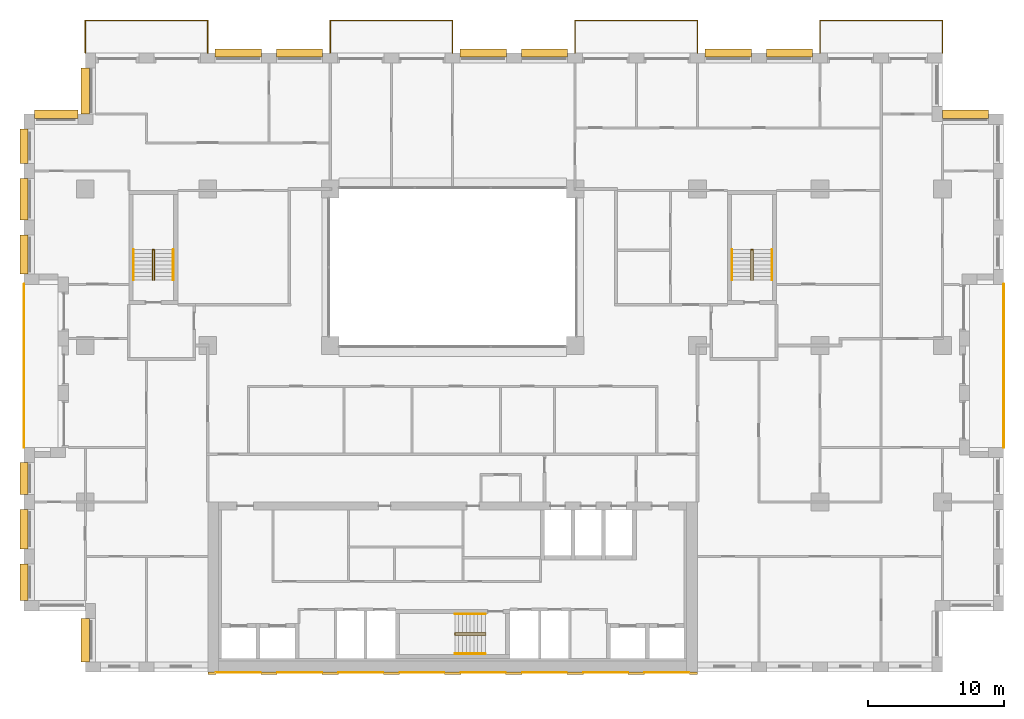
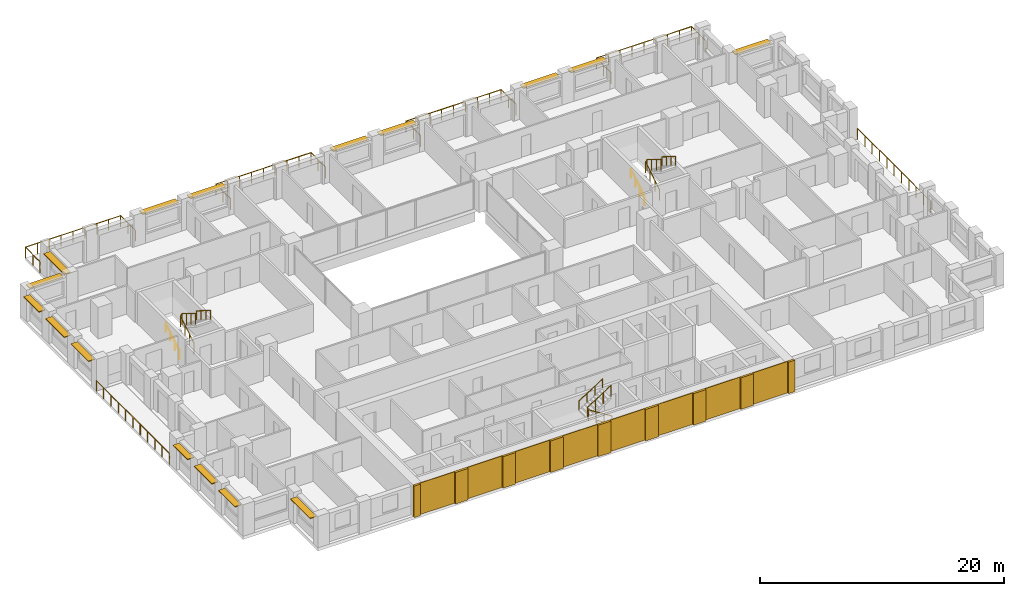
# One storey, part 16 of 16: 17 coverings, 16 shading devices, 15 railings.
"""IFC4 building model written with IfcOpenShell, lengths in metres."""

from ifc_helpers import new_model, si_unit, direction, frame, origin, origin_2d, place, context, subcontext, project, spatial, rectangle, circle, extrude, material, layer, layer_set, type_object, element, save


model = new_model("IFC4")

# Units and contexts
model_context = context("Model", 3, precision=1e-05, world=origin(), true_north=direction((0.0, 1.0)))
body_context = subcontext(model_context, "Body", "Model", "MODEL_VIEW")
ifc_project = project(units=[si_unit("LENGTHUNIT", "METRE"), si_unit("AREAUNIT", "SQUARE_METRE"), si_unit("VOLUMEUNIT", "CUBIC_METRE"), si_unit("PLANEANGLEUNIT", "RADIAN"), si_unit("MASSUNIT", "GRAM", prefix="KILO")], contexts=[model_context])

# Site, building, storey
site_placement = place(None, origin())
site = spatial("IfcSite", under=ifc_project, at=site_placement, CompositionType="ELEMENT")
building_placement = place(site_placement, origin())
building = spatial("IfcBuilding", under=site, at=building_placement, Name="Brigalow Station Residences", CompositionType="ELEMENT")
storey_placement = place(building_placement, frame((0.0, 0.0, 118.199951171875)))
storey = spatial("IfcBuildingStorey", under=building, at=storey_placement, Name="L34", CompositionType="ELEMENT", Elevation=118.199951171875)

# Railings
ifc_material_1 = material(Name="Stainless steel balustrade with laminated glass infill", Category="steel")
railing_type_1 = type_object("IfcRailingType", Name="BALCONY GUARD 1100", PredefinedType="GUARDRAIL", material=ifc_material_1)
railing_1_placement = place(storey_placement, frame((76.5, 16.5, -0.0400390625)))
element("IfcRailing", 1, at=railing_1_placement, inside=storey, type_object=railing_type_1, Name="L34/balcony-guard/1", PredefinedType="GUARDRAIL", context=body_context, shape_type="SweptSolid", body=[
    extrude(circle(Radius=0.02392578125, at=origin_2d()), frame((0.0, 0.0, 1.076171875), z_axis=(0.0, 1.0, 0.0), x_axis=(-1.0, 0.0, 0.0)), (0.0, 0.0, 1.0), 12.0),
    extrude(circle(Radius=0.02099609375, at=origin_2d()), origin(), (0.0, 0.0, 1.0), 1.052001953125),
    extrude(circle(Radius=0.02099609375, at=origin_2d()), frame((0.0, 1.199951171875, 0.0)), (0.0, 0.0, 1.0), 1.052001953125),
    extrude(circle(Radius=0.02099609375, at=origin_2d()), frame((0.0, 2.39990234375, 0.0)), (0.0, 0.0, 1.0), 1.052001953125),
    extrude(circle(Radius=0.02099609375, at=origin_2d()), frame((0.0, 3.60009765625, 0.0)), (0.0, 0.0, 1.0), 1.052001953125),
    extrude(circle(Radius=0.02099609375, at=origin_2d()), frame((0.0, 4.800048828125, 0.0)), (0.0, 0.0, 1.0), 1.052001953125),
    extrude(circle(Radius=0.02099609375, at=origin_2d()), frame((0.0, 6.0, 0.0)), (0.0, 0.0, 1.0), 1.052001953125),
    extrude(circle(Radius=0.02099609375, at=origin_2d()), frame((0.0, 7.199951171875, 0.0)), (0.0, 0.0, 1.0), 1.052001953125),
    extrude(circle(Radius=0.02099609375, at=origin_2d()), frame((0.0, 8.39990234375, 0.0)), (0.0, 0.0, 1.0), 1.052001953125),
    extrude(circle(Radius=0.02099609375, at=origin_2d()), frame((0.0, 9.60009765625, 0.0)), (0.0, 0.0, 1.0), 1.052001953125),
    extrude(circle(Radius=0.02099609375, at=origin_2d()), frame((0.0, 10.800048828125, 0.0)), (0.0, 0.0, 1.0), 1.052001953125),
    extrude(circle(Radius=0.02099609375, at=origin_2d()), frame((0.0, 12.0, 0.0)), (0.0, 0.0, 1.0), 1.052001953125),
])
railing_2_placement = place(storey_placement, frame((72.0, 45.5, -0.0400390625)))
element("IfcRailing", 2, at=railing_2_placement, inside=storey, type_object=railing_type_1, Name="L34/balcony-guard/2", PredefinedType="GUARDRAIL", context=body_context, shape_type="SweptSolid", body=[
    extrude(circle(Radius=0.02392578125, at=origin_2d()), frame((0.0, 0.0, 1.076171875), z_axis=(0.0, 1.0, 0.0), x_axis=(-1.0, 0.0, 0.0)), (0.0, 0.0, 1.0), 2.39990234375),
    extrude(circle(Radius=0.02392578125, at=origin_2d()), frame((0.0, 2.39990234375, 1.076171875), z_axis=(-1.0, 0.0, 0.0), x_axis=(0.0, -1.0, 0.0)), (0.0, 0.0, 1.0), 9.0),
    extrude(circle(Radius=0.02392578125, at=origin_2d()), frame((-9.0, 2.39990234375, 1.076171875), z_axis=(0.0, -1.0, 0.0), x_axis=(1.0, 0.0, 0.0)), (0.0, 0.0, 1.0), 2.39990234375),
    extrude(circle(Radius=0.02099609375, at=origin_2d()), origin(), (0.0, 0.0, 1.0), 1.052001953125),
    extrude(circle(Radius=0.02099609375, at=origin_2d()), frame((0.0, 1.199951171875, 0.0)), (0.0, 0.0, 1.0), 1.052001953125),
    extrude(circle(Radius=0.02099609375, at=origin_2d()), frame((0.0, 2.39990234375, 0.0)), (0.0, 0.0, 1.0), 1.052001953125),
    extrude(circle(Radius=0.02099609375, at=origin_2d()), frame((-1.125, 2.39990234375, 0.0)), (0.0, 0.0, 1.0), 1.052001953125),
    extrude(circle(Radius=0.02099609375, at=origin_2d()), frame((-2.25, 2.39990234375, 0.0)), (0.0, 0.0, 1.0), 1.052001953125),
    extrude(circle(Radius=0.02099609375, at=origin_2d()), frame((-3.375, 2.39990234375, 0.0)), (0.0, 0.0, 1.0), 1.052001953125),
    extrude(circle(Radius=0.02099609375, at=origin_2d()), frame((-4.5, 2.39990234375, 0.0)), (0.0, 0.0, 1.0), 1.052001953125),
    extrude(circle(Radius=0.02099609375, at=origin_2d()), frame((-5.625, 2.39990234375, 0.0)), (0.0, 0.0, 1.0), 1.052001953125),
    extrude(circle(Radius=0.02099609375, at=origin_2d()), frame((-6.75, 2.39990234375, 0.0)), (0.0, 0.0, 1.0), 1.052001953125),
    extrude(circle(Radius=0.02099609375, at=origin_2d()), frame((-7.875, 2.39990234375, 0.0)), (0.0, 0.0, 1.0), 1.052001953125),
    extrude(circle(Radius=0.02099609375, at=origin_2d()), frame((-9.0, 2.39990234375, 0.0)), (0.0, 0.0, 1.0), 1.052001953125),
    extrude(circle(Radius=0.02099609375, at=origin_2d()), frame((-9.0, 1.199951171875, 0.0)), (0.0, 0.0, 1.0), 1.052001953125),
    extrude(circle(Radius=0.02099609375, at=origin_2d()), frame((-9.0, 0.0, 0.0)), (0.0, 0.0, 1.0), 1.052001953125),
])
railing_3_placement = place(storey_placement, frame((54.0, 45.5, -0.0400390625)))
element("IfcRailing", 3, at=railing_3_placement, inside=storey, type_object=railing_type_1, Name="L34/balcony-guard/3", PredefinedType="GUARDRAIL", context=body_context, shape_type="SweptSolid", body=[
    extrude(circle(Radius=0.02392578125, at=origin_2d()), frame((0.0, 0.0, 1.076171875), z_axis=(0.0, 1.0, 0.0), x_axis=(-1.0, 0.0, 0.0)), (0.0, 0.0, 1.0), 2.39990234375),
    extrude(circle(Radius=0.02392578125, at=origin_2d()), frame((0.0, 2.39990234375, 1.076171875), z_axis=(-1.0, 0.0, 0.0), x_axis=(0.0, -1.0, 0.0)), (0.0, 0.0, 1.0), 9.0),
    extrude(circle(Radius=0.02392578125, at=origin_2d()), frame((-9.0, 2.39990234375, 1.076171875), z_axis=(0.0, -1.0, 0.0), x_axis=(1.0, 0.0, 0.0)), (0.0, 0.0, 1.0), 2.39990234375),
    extrude(circle(Radius=0.02099609375, at=origin_2d()), origin(), (0.0, 0.0, 1.0), 1.052001953125),
    extrude(circle(Radius=0.02099609375, at=origin_2d()), frame((0.0, 1.199951171875, 0.0)), (0.0, 0.0, 1.0), 1.052001953125),
    extrude(circle(Radius=0.02099609375, at=origin_2d()), frame((0.0, 2.39990234375, 0.0)), (0.0, 0.0, 1.0), 1.052001953125),
    extrude(circle(Radius=0.02099609375, at=origin_2d()), frame((-1.125, 2.39990234375, 0.0)), (0.0, 0.0, 1.0), 1.052001953125),
    extrude(circle(Radius=0.02099609375, at=origin_2d()), frame((-2.25, 2.39990234375, 0.0)), (0.0, 0.0, 1.0), 1.052001953125),
    extrude(circle(Radius=0.02099609375, at=origin_2d()), frame((-3.375, 2.39990234375, 0.0)), (0.0, 0.0, 1.0), 1.052001953125),
    extrude(circle(Radius=0.02099609375, at=origin_2d()), frame((-4.5, 2.39990234375, 0.0)), (0.0, 0.0, 1.0), 1.052001953125),
    extrude(circle(Radius=0.02099609375, at=origin_2d()), frame((-5.625, 2.39990234375, 0.0)), (0.0, 0.0, 1.0), 1.052001953125),
    extrude(circle(Radius=0.02099609375, at=origin_2d()), frame((-6.75, 2.39990234375, 0.0)), (0.0, 0.0, 1.0), 1.052001953125),
    extrude(circle(Radius=0.02099609375, at=origin_2d()), frame((-7.875, 2.39990234375, 0.0)), (0.0, 0.0, 1.0), 1.052001953125),
    extrude(circle(Radius=0.02099609375, at=origin_2d()), frame((-9.0, 2.39990234375, 0.0)), (0.0, 0.0, 1.0), 1.052001953125),
    extrude(circle(Radius=0.02099609375, at=origin_2d()), frame((-9.0, 1.199951171875, 0.0)), (0.0, 0.0, 1.0), 1.052001953125),
    extrude(circle(Radius=0.02099609375, at=origin_2d()), frame((-9.0, 0.0, 0.0)), (0.0, 0.0, 1.0), 1.052001953125),
])
railing_4_placement = place(storey_placement, frame((36.0, 45.5, -0.0400390625)))
element("IfcRailing", 4, at=railing_4_placement, inside=storey, type_object=railing_type_1, Name="L34/balcony-guard/4", PredefinedType="GUARDRAIL", context=body_context, shape_type="SweptSolid", body=[
    extrude(circle(Radius=0.02392578125, at=origin_2d()), frame((0.0, 0.0, 1.076171875), z_axis=(0.0, 1.0, 0.0), x_axis=(-1.0, 0.0, 0.0)), (0.0, 0.0, 1.0), 2.39990234375),
    extrude(circle(Radius=0.02392578125, at=origin_2d()), frame((0.0, 2.39990234375, 1.076171875), z_axis=(-1.0, 0.0, 0.0), x_axis=(0.0, -1.0, 0.0)), (0.0, 0.0, 1.0), 9.0),
    extrude(circle(Radius=0.02392578125, at=origin_2d()), frame((-9.0, 2.39990234375, 1.076171875), z_axis=(0.0, -1.0, 0.0), x_axis=(1.0, 0.0, 0.0)), (0.0, 0.0, 1.0), 2.39990234375),
    extrude(circle(Radius=0.02099609375, at=origin_2d()), origin(), (0.0, 0.0, 1.0), 1.052001953125),
    extrude(circle(Radius=0.02099609375, at=origin_2d()), frame((0.0, 1.199951171875, 0.0)), (0.0, 0.0, 1.0), 1.052001953125),
    extrude(circle(Radius=0.02099609375, at=origin_2d()), frame((0.0, 2.39990234375, 0.0)), (0.0, 0.0, 1.0), 1.052001953125),
    extrude(circle(Radius=0.02099609375, at=origin_2d()), frame((-1.125, 2.39990234375, 0.0)), (0.0, 0.0, 1.0), 1.052001953125),
    extrude(circle(Radius=0.02099609375, at=origin_2d()), frame((-2.25, 2.39990234375, 0.0)), (0.0, 0.0, 1.0), 1.052001953125),
    extrude(circle(Radius=0.02099609375, at=origin_2d()), frame((-3.375, 2.39990234375, 0.0)), (0.0, 0.0, 1.0), 1.052001953125),
    extrude(circle(Radius=0.02099609375, at=origin_2d()), frame((-4.5, 2.39990234375, 0.0)), (0.0, 0.0, 1.0), 1.052001953125),
    extrude(circle(Radius=0.02099609375, at=origin_2d()), frame((-5.625, 2.39990234375, 0.0)), (0.0, 0.0, 1.0), 1.052001953125),
    extrude(circle(Radius=0.02099609375, at=origin_2d()), frame((-6.75, 2.39990234375, 0.0)), (0.0, 0.0, 1.0), 1.052001953125),
    extrude(circle(Radius=0.02099609375, at=origin_2d()), frame((-7.875, 2.39990234375, 0.0)), (0.0, 0.0, 1.0), 1.052001953125),
    extrude(circle(Radius=0.02099609375, at=origin_2d()), frame((-9.0, 2.39990234375, 0.0)), (0.0, 0.0, 1.0), 1.052001953125),
    extrude(circle(Radius=0.02099609375, at=origin_2d()), frame((-9.0, 1.199951171875, 0.0)), (0.0, 0.0, 1.0), 1.052001953125),
    extrude(circle(Radius=0.02099609375, at=origin_2d()), frame((-9.0, 0.0, 0.0)), (0.0, 0.0, 1.0), 1.052001953125),
])
railing_5_placement = place(storey_placement, frame((18.0, 45.5, -0.0400390625)))
element("IfcRailing", 5, at=railing_5_placement, inside=storey, type_object=railing_type_1, Name="L34/balcony-guard/5", PredefinedType="GUARDRAIL", context=body_context, shape_type="SweptSolid", body=[
    extrude(circle(Radius=0.02392578125, at=origin_2d()), frame((0.0, 0.0, 1.076171875), z_axis=(0.0, 1.0, 0.0), x_axis=(-1.0, 0.0, 0.0)), (0.0, 0.0, 1.0), 2.39990234375),
    extrude(circle(Radius=0.02392578125, at=origin_2d()), frame((0.0, 2.39990234375, 1.076171875), z_axis=(-1.0, 0.0, 0.0), x_axis=(0.0, -1.0, 0.0)), (0.0, 0.0, 1.0), 9.0),
    extrude(circle(Radius=0.02392578125, at=origin_2d()), frame((-9.0, 2.39990234375, 1.076171875), z_axis=(0.0, -1.0, 0.0), x_axis=(1.0, 0.0, 0.0)), (0.0, 0.0, 1.0), 2.39990234375),
    extrude(circle(Radius=0.02099609375, at=origin_2d()), origin(), (0.0, 0.0, 1.0), 1.052001953125),
    extrude(circle(Radius=0.02099609375, at=origin_2d()), frame((0.0, 1.199951171875, 0.0)), (0.0, 0.0, 1.0), 1.052001953125),
    extrude(circle(Radius=0.02099609375, at=origin_2d()), frame((0.0, 2.39990234375, 0.0)), (0.0, 0.0, 1.0), 1.052001953125),
    extrude(circle(Radius=0.02099609375, at=origin_2d()), frame((-1.125, 2.39990234375, 0.0)), (0.0, 0.0, 1.0), 1.052001953125),
    extrude(circle(Radius=0.02099609375, at=origin_2d()), frame((-2.25, 2.39990234375, 0.0)), (0.0, 0.0, 1.0), 1.052001953125),
    extrude(circle(Radius=0.02099609375, at=origin_2d()), frame((-3.375, 2.39990234375, 0.0)), (0.0, 0.0, 1.0), 1.052001953125),
    extrude(circle(Radius=0.02099609375, at=origin_2d()), frame((-4.5, 2.39990234375, 0.0)), (0.0, 0.0, 1.0), 1.052001953125),
    extrude(circle(Radius=0.02099609375, at=origin_2d()), frame((-5.625, 2.39990234375, 0.0)), (0.0, 0.0, 1.0), 1.052001953125),
    extrude(circle(Radius=0.02099609375, at=origin_2d()), frame((-6.75, 2.39990234375, 0.0)), (0.0, 0.0, 1.0), 1.052001953125),
    extrude(circle(Radius=0.02099609375, at=origin_2d()), frame((-7.875, 2.39990234375, 0.0)), (0.0, 0.0, 1.0), 1.052001953125),
    extrude(circle(Radius=0.02099609375, at=origin_2d()), frame((-9.0, 2.39990234375, 0.0)), (0.0, 0.0, 1.0), 1.052001953125),
    extrude(circle(Radius=0.02099609375, at=origin_2d()), frame((-9.0, 1.199951171875, 0.0)), (0.0, 0.0, 1.0), 1.052001953125),
    extrude(circle(Radius=0.02099609375, at=origin_2d()), frame((-9.0, 0.0, 0.0)), (0.0, 0.0, 1.0), 1.052001953125),
])
railing_6_placement = place(storey_placement, frame((4.5, 28.5, -0.0400390625)))
element("IfcRailing", 6, at=railing_6_placement, inside=storey, type_object=railing_type_1, Name="L34/balcony-guard/6", PredefinedType="GUARDRAIL", context=body_context, shape_type="SweptSolid", body=[
    extrude(circle(Radius=0.02392578125, at=origin_2d()), frame((0.0, 0.0, 1.076171875), z_axis=(0.0, -1.0, 0.0), x_axis=(1.0, 0.0, 0.0)), (0.0, 0.0, 1.0), 12.0),
    extrude(circle(Radius=0.02099609375, at=origin_2d()), origin(), (0.0, 0.0, 1.0), 1.052001953125),
    extrude(circle(Radius=0.02099609375, at=origin_2d()), frame((0.0, -1.199951171875, 0.0)), (0.0, 0.0, 1.0), 1.052001953125),
    extrude(circle(Radius=0.02099609375, at=origin_2d()), frame((0.0, -2.39990234375, 0.0)), (0.0, 0.0, 1.0), 1.052001953125),
    extrude(circle(Radius=0.02099609375, at=origin_2d()), frame((0.0, -3.60009765625, 0.0)), (0.0, 0.0, 1.0), 1.052001953125),
    extrude(circle(Radius=0.02099609375, at=origin_2d()), frame((0.0, -4.800048828125, 0.0)), (0.0, 0.0, 1.0), 1.052001953125),
    extrude(circle(Radius=0.02099609375, at=origin_2d()), frame((0.0, -6.0, 0.0)), (0.0, 0.0, 1.0), 1.052001953125),
    extrude(circle(Radius=0.02099609375, at=origin_2d()), frame((0.0, -7.199951171875, 0.0)), (0.0, 0.0, 1.0), 1.052001953125),
    extrude(circle(Radius=0.02099609375, at=origin_2d()), frame((0.0, -8.39990234375, 0.0)), (0.0, 0.0, 1.0), 1.052001953125),
    extrude(circle(Radius=0.02099609375, at=origin_2d()), frame((0.0, -9.60009765625, 0.0)), (0.0, 0.0, 1.0), 1.052001953125),
    extrude(circle(Radius=0.02099609375, at=origin_2d()), frame((0.0, -10.800048828125, 0.0)), (0.0, 0.0, 1.0), 1.052001953125),
    extrude(circle(Radius=0.02099609375, at=origin_2d()), frame((0.0, -12.0, 0.0)), (0.0, 0.0, 1.0), 1.052001953125),
])

# Coverings
ifc_material_2 = material(Name="Clay brick masonry", Category="masonry")
ifc_layer_1 = layer(ifc_material_2, 0.06005859375)
ifc_layer_set_1 = layer_set([ifc_layer_1], Name="BRICK PANEL FACING 60")
covering_type_1 = type_object("IfcCoveringType", Name="BRICK PANEL FACING 60", PredefinedType="CLADDING", material=ifc_layer_set_1)
for number, where, z_axis, x_axis, name in (
    (7, (20.25, -0.030029296875, 0.0), (0.0, 0.0, 1.0), (1.0, 0.0, 0.0), "L34/rear-facing/panel-1"),
    (8, (24.75, -0.030029296875, 0.0), (0.0, 0.0, 1.0), (1.0, 0.0, 0.0), "L34/rear-facing/panel-2"),
    (9, (29.25, -0.030029296875, 0.0), (0.0, 0.0, 1.0), (1.0, 0.0, 0.0), "L34/rear-facing/panel-3"),
    (10, (33.75, -0.030029296875, 0.0), (0.0, 0.0, 1.0), (1.0, 0.0, 0.0), "L34/rear-facing/panel-4"),
    (11, (38.25, -0.030029296875, 0.0), (0.0, 0.0, 1.0), (1.0, 0.0, 0.0), "L34/rear-facing/panel-5"),
    (12, (42.75, -0.030029296875, 0.0), (0.0, 0.0, 1.0), (1.0, 0.0, 0.0), "L34/rear-facing/panel-6"),
    (13, (47.25, -0.030029296875, 0.0), (0.0, 0.0, 1.0), (1.0, 0.0, 0.0), "L34/rear-facing/panel-7"),
    (14, (51.75, -0.030029296875, 0.0), (0.0, 0.0, 1.0), (1.0, 0.0, 0.0), "L34/rear-facing/panel-8"),
):
    element("IfcCovering", number, at=place(storey_placement, frame(where, z_axis=z_axis, x_axis=x_axis)), inside=storey, type_object=covering_type_1, Name=name, PredefinedType="CLADDING", context=body_context, shape_type="SweptSolid", body=[
        extrude(rectangle(XDim=3.300048828125, YDim=0.06005859375, at=origin_2d()), origin(), (0.0, 0.0, 1.0), 3.14990234375),
    ])
ifc_material_3 = material(Name="Clay brick masonry", Category="masonry")
ifc_layer_2 = layer(ifc_material_3, 0.199951171875)
ifc_layer_set_2 = layer_set([ifc_layer_2], Name="BRICK PIER FACING 200")
covering_type_2 = type_object("IfcCoveringType", Name="BRICK PIER FACING 200", PredefinedType="CLADDING", material=ifc_layer_set_2)
covering_1_placement = place(storey_placement, frame((18.300048828125, -0.10009765625, 0.0), z_axis=(0.0, 0.0, 1.0), x_axis=(1.0, 0.0, 0.0)))
element("IfcCovering", 15, at=covering_1_placement, inside=storey, type_object=covering_type_2, Name="L34/rear-facing/pier-1", PredefinedType="CLADDING", context=body_context, shape_type="SweptSolid", body=[
    extrude(rectangle(XDim=0.60009765625, YDim=0.199951171875, at=origin_2d()), origin(), (0.0, 0.0, 1.0), 3.14990234375),
])
for number, where, z_axis, x_axis, name in (
    (16, (22.5, -0.10009765625, 0.0), (0.0, 0.0, 1.0), (1.0, 0.0, 0.0), "L34/rear-facing/pier-2"),
    (17, (27.0, -0.10009765625, 0.0), (0.0, 0.0, 1.0), (1.0, 0.0, 0.0), "L34/rear-facing/pier-3"),
    (18, (31.5, -0.10009765625, 0.0), (0.0, 0.0, 1.0), (1.0, 0.0, 0.0), "L34/rear-facing/pier-4"),
    (19, (36.0, -0.10009765625, 0.0), (0.0, 0.0, 1.0), (1.0, 0.0, 0.0), "L34/rear-facing/pier-5"),
    (20, (40.5, -0.10009765625, 0.0), (0.0, 0.0, 1.0), (1.0, 0.0, 0.0), "L34/rear-facing/pier-6"),
    (21, (45.0, -0.10009765625, 0.0), (0.0, 0.0, 1.0), (1.0, 0.0, 0.0), "L34/rear-facing/pier-7"),
    (22, (49.5, -0.10009765625, 0.0), (0.0, 0.0, 1.0), (1.0, 0.0, 0.0), "L34/rear-facing/pier-8"),
):
    element("IfcCovering", number, at=place(storey_placement, frame(where, z_axis=z_axis, x_axis=x_axis)), inside=storey, type_object=covering_type_2, Name=name, PredefinedType="CLADDING", context=body_context, shape_type="SweptSolid", body=[
        extrude(rectangle(XDim=1.199951171875, YDim=0.199951171875, at=origin_2d()), origin(), (0.0, 0.0, 1.0), 3.14990234375),
    ])
covering_2_placement = place(storey_placement, frame((53.699951171875, -0.10009765625, 0.0), z_axis=(0.0, 0.0, 1.0), x_axis=(1.0, 0.0, 0.0)))
element("IfcCovering", 23, at=covering_2_placement, inside=storey, type_object=covering_type_2, Name="L34/rear-facing/pier-9", PredefinedType="CLADDING", context=body_context, shape_type="SweptSolid", body=[
    extrude(rectangle(XDim=0.60009765625, YDim=0.199951171875, at=origin_2d()), origin(), (0.0, 0.0, 1.0), 3.14990234375),
])

# Railings
ifc_material_4 = material(Name="Stainless steel balustrade", Category="steel")
railing_type_2 = type_object("IfcRailingType", Name="STAIR GUARD 1100", PredefinedType="GUARDRAIL", material=ifc_material_4)
railing_7_placement = place(storey_placement, frame((38.39990234375, 2.72998046875, 0.175048828125)))
element("IfcRailing", 24, at=railing_7_placement, inside=storey, type_object=railing_type_2, Name="GUARD GR-2", PredefinedType="GUARDRAIL", context=body_context, shape_type="SweptSolid", body=[
    extrude(circle(Radius=0.02392578125, at=origin_2d()), frame((0.0, 0.0, 1.076171875), z_axis=(-0.848013881152, 0.0, 0.529974015752), x_axis=(0.0, -1.0, 0.0)), (0.0, 0.0, 1.0), 2.641357421875),
    extrude(circle(Radius=0.02392578125, at=origin_2d()), frame((-2.239990234375, 0.0, 2.47607421875), z_axis=(0.0, 0.624960567888, 0.780656319122), x_axis=(-1.0, 0.0, 0.0)), (0.0, 0.0, 1.0), 0.22412109375),
    extrude(circle(Radius=0.02392578125, at=origin_2d()), frame((-2.239990234375, 0.14013671875, 2.65087890625), z_axis=(0.847972341737, 0.0, 0.530040477369), x_axis=(0.0, 1.0, 0.0)), (0.0, 0.0, 1.0), 2.6416015625),
    extrude(circle(Radius=0.02099609375, at=origin_2d()), origin(), (0.0, 0.0, 1.0), 1.052001953125),
    extrude(circle(Radius=0.02099609375, at=origin_2d()), frame((-0.74658203125, 0.0, 0.466552734375)), (0.0, 0.0, 1.0), 1.052001953125),
    extrude(circle(Radius=0.02099609375, at=origin_2d()), frame((-1.493408203125, 0.0, 0.933349609375)), (0.0, 0.0, 1.0), 1.052001953125),
    extrude(circle(Radius=0.02099609375, at=origin_2d()), frame((-2.239990234375, 0.0, 1.39990234375)), (0.0, 0.0, 1.0), 1.052001953125),
    extrude(circle(Radius=0.02099609375, at=origin_2d()), frame((-2.239990234375, 0.14013671875, 1.574951171875)), (0.0, 0.0, 1.0), 1.052001953125),
    extrude(circle(Radius=0.02099609375, at=origin_2d()), frame((-1.493408203125, 0.14013671875, 2.041748046875)), (0.0, 0.0, 1.0), 1.052001953125),
    extrude(circle(Radius=0.02099609375, at=origin_2d()), frame((-0.74658203125, 0.14013671875, 2.50830078125)), (0.0, 0.0, 1.0), 1.052001953125),
    extrude(circle(Radius=0.02099609375, at=origin_2d()), frame((0.0, 0.14013671875, 2.97509765625)), (0.0, 0.0, 1.0), 1.052001953125),
])
for number, where, name in (
    (25, (13.929931640625, 28.800048828125, 0.175048828125), "GUARD GR-1"),
    (26, (57.929931640625, 28.800048828125, 0.175048828125), "GUARD GR-3"),
):
    element("IfcRailing", number, at=place(storey_placement, frame(where)), inside=storey, type_object=railing_type_2, Name=name, PredefinedType="GUARDRAIL", context=body_context, shape_type="SweptSolid", body=[
        extrude(circle(Radius=0.02392578125, at=origin_2d()), frame((0.0, 0.0, 1.076171875), z_axis=(0.0, 0.848013881152, 0.529974015752), x_axis=(-1.0, 0.0, 0.0)), (0.0, 0.0, 1.0), 2.641357421875),
        extrude(circle(Radius=0.02392578125, at=origin_2d()), frame((0.0, 2.239990234375, 2.47607421875), z_axis=(0.624960567888, 0.0, 0.780656319122), x_axis=(0.0, 1.0, 0.0)), (0.0, 0.0, 1.0), 0.22412109375),
        extrude(circle(Radius=0.02392578125, at=origin_2d()), frame((0.14013671875, 2.239990234375, 2.65087890625), z_axis=(0.0, -0.847972341737, 0.530040477369), x_axis=(1.0, 0.0, 0.0)), (0.0, 0.0, 1.0), 2.6416015625),
        extrude(circle(Radius=0.02099609375, at=origin_2d()), origin(), (0.0, 0.0, 1.0), 1.052001953125),
        extrude(circle(Radius=0.02099609375, at=origin_2d()), frame((0.0, 0.74658203125, 0.466552734375)), (0.0, 0.0, 1.0), 1.052001953125),
        extrude(circle(Radius=0.02099609375, at=origin_2d()), frame((0.0, 1.493408203125, 0.933349609375)), (0.0, 0.0, 1.0), 1.052001953125),
        extrude(circle(Radius=0.02099609375, at=origin_2d()), frame((0.0, 2.239990234375, 1.39990234375)), (0.0, 0.0, 1.0), 1.052001953125),
        extrude(circle(Radius=0.02099609375, at=origin_2d()), frame((0.14013671875, 2.239990234375, 1.574951171875)), (0.0, 0.0, 1.0), 1.052001953125),
        extrude(circle(Radius=0.02099609375, at=origin_2d()), frame((0.14013671875, 1.493408203125, 2.041748046875)), (0.0, 0.0, 1.0), 1.052001953125),
        extrude(circle(Radius=0.02099609375, at=origin_2d()), frame((0.14013671875, 0.74658203125, 2.50830078125)), (0.0, 0.0, 1.0), 1.052001953125),
        extrude(circle(Radius=0.02099609375, at=origin_2d()), frame((0.14013671875, 0.0, 2.97509765625)), (0.0, 0.0, 1.0), 1.052001953125),
    ])
ifc_material_5 = material(Name="Stainless steel handrail", Category="steel")
railing_type_3 = type_object("IfcRailingType", Name="STAIR HANDRAIL 900", PredefinedType="HANDRAIL", material=ifc_material_5)
railing_8_placement = place(storey_placement, frame((38.39990234375, 1.340087890625, 0.175048828125)))
element("IfcRailing", 27, at=railing_8_placement, inside=storey, type_object=railing_type_3, Name="HANDRAIL HR-21", PredefinedType="HANDRAIL", context=body_context, shape_type="SweptSolid", body=[
    extrude(circle(Radius=0.02392578125, at=origin_2d()), frame((0.0, 0.0, 0.8759765625), z_axis=(-0.848013881152, 0.0, 0.529974015752), x_axis=(0.0, -1.0, 0.0)), (0.0, 0.0, 1.0), 2.641357421875),
    extrude(circle(Radius=0.02099609375, at=origin_2d()), origin(), (0.0, 0.0, 1.0), 0.851806640625),
    extrude(circle(Radius=0.02099609375, at=origin_2d()), frame((-0.74658203125, 0.0, 0.466552734375)), (0.0, 0.0, 1.0), 0.851806640625),
    extrude(circle(Radius=0.02099609375, at=origin_2d()), frame((-1.493408203125, 0.0, 0.933349609375)), (0.0, 0.0, 1.0), 0.851806640625),
    extrude(circle(Radius=0.02099609375, at=origin_2d()), frame((-2.239990234375, 0.0, 1.39990234375)), (0.0, 0.0, 1.0), 0.851806640625),
])
railing_9_placement = place(storey_placement, frame((36.159912109375, 4.260009765625, 1.75)))
element("IfcRailing", 28, at=railing_9_placement, inside=storey, type_object=railing_type_3, Name="HANDRAIL HR-22", PredefinedType="HANDRAIL", context=body_context, shape_type="SweptSolid", body=[
    extrude(circle(Radius=0.02392578125, at=origin_2d()), frame((0.0, 0.0, 0.8759765625), z_axis=(0.847972341737, 0.0, 0.530040477369), x_axis=(0.0, 1.0, 0.0)), (0.0, 0.0, 1.0), 2.6416015625),
    extrude(circle(Radius=0.02099609375, at=origin_2d()), origin(), (0.0, 0.0, 1.0), 0.851806640625),
    extrude(circle(Radius=0.02099609375, at=origin_2d()), frame((0.74658203125, 0.0, 0.466796875)), (0.0, 0.0, 1.0), 0.851806640625),
    extrude(circle(Radius=0.02099609375, at=origin_2d()), frame((1.493408203125, 0.0, 0.933349609375)), (0.0, 0.0, 1.0), 0.851806640625),
    extrude(circle(Radius=0.02099609375, at=origin_2d()), frame((2.239990234375, 0.0, 1.400146484375)), (0.0, 0.0, 1.0), 0.851806640625),
])
railing_10_placement = place(storey_placement, frame((12.5400390625, 28.800048828125, 0.175048828125)))
element("IfcRailing", 29, at=railing_10_placement, inside=storey, type_object=railing_type_3, Name="HANDRAIL HR-11", PredefinedType="HANDRAIL", context=body_context, shape_type="SweptSolid", body=[
    extrude(circle(Radius=0.02392578125, at=origin_2d()), frame((0.0, 0.0, 0.8759765625), z_axis=(0.0, 0.848013881152, 0.529974015752), x_axis=(-1.0, 0.0, 0.0)), (0.0, 0.0, 1.0), 2.641357421875),
    extrude(circle(Radius=0.02099609375, at=origin_2d()), origin(), (0.0, 0.0, 1.0), 0.851806640625),
    extrude(circle(Radius=0.02099609375, at=origin_2d()), frame((0.0, 0.74658203125, 0.466552734375)), (0.0, 0.0, 1.0), 0.851806640625),
    extrude(circle(Radius=0.02099609375, at=origin_2d()), frame((0.0, 1.493408203125, 0.933349609375)), (0.0, 0.0, 1.0), 0.851806640625),
    extrude(circle(Radius=0.02099609375, at=origin_2d()), frame((0.0, 2.239990234375, 1.39990234375)), (0.0, 0.0, 1.0), 0.851806640625),
])
railing_11_placement = place(storey_placement, frame((15.4599609375, 31.0400390625, 1.75)))
element("IfcRailing", 30, at=railing_11_placement, inside=storey, type_object=railing_type_3, Name="HANDRAIL HR-12", PredefinedType="HANDRAIL", context=body_context, shape_type="SweptSolid", body=[
    extrude(circle(Radius=0.02392578125, at=origin_2d()), frame((0.0, 0.0, 0.8759765625), z_axis=(0.0, -0.847972341737, 0.530040477369), x_axis=(1.0, 0.0, 0.0)), (0.0, 0.0, 1.0), 2.6416015625),
    extrude(circle(Radius=0.02099609375, at=origin_2d()), origin(), (0.0, 0.0, 1.0), 0.851806640625),
    extrude(circle(Radius=0.02099609375, at=origin_2d()), frame((0.0, -0.74658203125, 0.466796875)), (0.0, 0.0, 1.0), 0.851806640625),
    extrude(circle(Radius=0.02099609375, at=origin_2d()), frame((0.0, -1.493408203125, 0.933349609375)), (0.0, 0.0, 1.0), 0.851806640625),
    extrude(circle(Radius=0.02099609375, at=origin_2d()), frame((0.0, -2.239990234375, 1.400146484375)), (0.0, 0.0, 1.0), 0.851806640625),
])
railing_12_placement = place(storey_placement, frame((56.5400390625, 28.800048828125, 0.175048828125)))
element("IfcRailing", 31, at=railing_12_placement, inside=storey, type_object=railing_type_3, Name="HANDRAIL HR-31", PredefinedType="HANDRAIL", context=body_context, shape_type="SweptSolid", body=[
    extrude(circle(Radius=0.02392578125, at=origin_2d()), frame((0.0, 0.0, 0.8759765625), z_axis=(0.0, 0.848013881152, 0.529974015752), x_axis=(-1.0, 0.0, 0.0)), (0.0, 0.0, 1.0), 2.641357421875),
    extrude(circle(Radius=0.02099609375, at=origin_2d()), origin(), (0.0, 0.0, 1.0), 0.851806640625),
    extrude(circle(Radius=0.02099609375, at=origin_2d()), frame((0.0, 0.74658203125, 0.466552734375)), (0.0, 0.0, 1.0), 0.851806640625),
    extrude(circle(Radius=0.02099609375, at=origin_2d()), frame((0.0, 1.493408203125, 0.933349609375)), (0.0, 0.0, 1.0), 0.851806640625),
    extrude(circle(Radius=0.02099609375, at=origin_2d()), frame((0.0, 2.239990234375, 1.39990234375)), (0.0, 0.0, 1.0), 0.851806640625),
])
railing_13_placement = place(storey_placement, frame((59.4599609375, 31.0400390625, 1.75)))
element("IfcRailing", 32, at=railing_13_placement, inside=storey, type_object=railing_type_3, Name="HANDRAIL HR-32", PredefinedType="HANDRAIL", context=body_context, shape_type="SweptSolid", body=[
    extrude(circle(Radius=0.02392578125, at=origin_2d()), frame((0.0, 0.0, 0.8759765625), z_axis=(0.0, -0.847972341737, 0.530040477369), x_axis=(1.0, 0.0, 0.0)), (0.0, 0.0, 1.0), 2.6416015625),
    extrude(circle(Radius=0.02099609375, at=origin_2d()), origin(), (0.0, 0.0, 1.0), 0.851806640625),
    extrude(circle(Radius=0.02099609375, at=origin_2d()), frame((0.0, -0.74658203125, 0.466796875)), (0.0, 0.0, 1.0), 0.851806640625),
    extrude(circle(Radius=0.02099609375, at=origin_2d()), frame((0.0, -1.493408203125, 0.933349609375)), (0.0, 0.0, 1.0), 0.851806640625),
    extrude(circle(Radius=0.02099609375, at=origin_2d()), frame((0.0, -2.239990234375, 1.400146484375)), (0.0, 0.0, 1.0), 0.851806640625),
])

# Shading devices
ifc_material_6 = material(Name="Powder-coated extruded aluminium blade", Category="aluminium")
ifc_layer_3 = layer(ifc_material_6, 0.080078125)
ifc_layer_set_3 = layer_set([ifc_layer_3], Name="SUNSHADE BLADE 600x80")
shading_device_type = type_object("IfcShadingDeviceType", Name="SUNSHADE BLADE 600x80", PredefinedType="JALOUSIE", material=ifc_layer_set_3)
for number, where, z_axis, x_axis, name in (
    (33, (73.699951171875, 41.0, 2.550048828125), (0.0, 0.0, 1.0), (-1.0, 0.0, 0.0), "L34/blade/W-L34-21"),
    (34, (60.75, 45.5, 2.550048828125), (0.0, 0.0, 1.0), (-1.0, 0.0, 0.0), "L34/blade/W-L34-25"),
    (35, (56.25, 45.5, 2.550048828125), (0.0, 0.0, 1.0), (-1.0, 0.0, 0.0), "L34/blade/W-L34-26"),
    (36, (42.75, 45.5, 2.550048828125), (0.0, 0.0, 1.0), (-1.0, 0.0, 0.0), "L34/blade/W-L34-29"),
    (37, (38.25, 45.5, 2.550048828125), (0.0, 0.0, 1.0), (-1.0, 0.0, 0.0), "L34/blade/W-L34-30"),
    (38, (24.75, 45.5, 2.550048828125), (0.0, 0.0, 1.0), (-1.0, 0.0, 0.0), "L34/blade/W-L34-33"),
    (39, (20.25, 45.5, 2.550048828125), (0.0, 0.0, 1.0), (-1.0, 0.0, 0.0), "L34/blade/W-L34-34"),
    (40, (9.0, 42.699951171875, 2.550048828125), (0.0, 0.0, 1.0), (0.0, -1.0, 0.0), "L34/blade/W-L34-37"),
):
    element("IfcShadingDevice", number, at=place(storey_placement, frame(where, z_axis=z_axis, x_axis=x_axis)), inside=storey, type_object=shading_device_type, Name=name, PredefinedType="JALOUSIE", context=body_context, shape_type="SweptSolid", body=[
        extrude(rectangle(XDim=3.39990234375, YDim=0.60009765625, at=origin_2d()), origin(), (0.0, 0.0, 1.0), 0.080078125),
    ])
shading_device_1_placement = place(storey_placement, frame((6.85009765625, 41.0, 2.550048828125), z_axis=(0.0, 0.0, 1.0), x_axis=(-1.0, 0.0, 0.0)))
element("IfcShadingDevice", 41, at=shading_device_1_placement, inside=storey, type_object=shading_device_type, Name="L34/blade/W-L34-38", PredefinedType="JALOUSIE", context=body_context, shape_type="SweptSolid", body=[
    extrude(rectangle(XDim=3.199951171875, YDim=0.60009765625, at=origin_2d()), origin(), (0.0, 0.0, 1.0), 0.080078125),
])
shading_device_2_placement = place(storey_placement, frame((4.5, 38.6416015625, 2.550048828125), z_axis=(0.0, 0.0, 1.0), x_axis=(0.0, -1.0, 0.0)))
element("IfcShadingDevice", 42, at=shading_device_2_placement, inside=storey, type_object=shading_device_type, Name="L34/blade/W-L34-39", PredefinedType="JALOUSIE", context=body_context, shape_type="SweptSolid", body=[
    extrude(rectangle(XDim=2.51708984375, YDim=0.60009765625, at=origin_2d()), origin(), (0.0, 0.0, 1.0), 0.080078125),
])
shading_device_3_placement = place(storey_placement, frame((4.5, 34.75, 2.550048828125), z_axis=(0.0, 0.0, 1.0), x_axis=(0.0, -1.0, 0.0)))
element("IfcShadingDevice", 43, at=shading_device_3_placement, inside=storey, type_object=shading_device_type, Name="L34/blade/W-L34-40", PredefinedType="JALOUSIE", context=body_context, shape_type="SweptSolid", body=[
    extrude(rectangle(XDim=3.06591796875, YDim=0.60009765625, at=origin_2d()), origin(), (0.0, 0.0, 1.0), 0.080078125),
])
shading_device_4_placement = place(storey_placement, frame((4.5, 30.68359375, 2.550048828125), z_axis=(0.0, 0.0, 1.0), x_axis=(0.0, -1.0, 0.0)))
element("IfcShadingDevice", 44, at=shading_device_4_placement, inside=storey, type_object=shading_device_type, Name="L34/blade/W-L34-41", PredefinedType="JALOUSIE", context=body_context, shape_type="SweptSolid", body=[
    extrude(rectangle(XDim=2.866943359375, YDim=0.60009765625, at=origin_2d()), origin(), (0.0, 0.0, 1.0), 0.080078125),
])
shading_device_5_placement = place(storey_placement, frame((4.5, 14.22509765625, 2.550048828125), z_axis=(0.0, 0.0, 1.0), x_axis=(0.0, -1.0, 0.0)))
element("IfcShadingDevice", 45, at=shading_device_5_placement, inside=storey, type_object=shading_device_type, Name="L34/blade/W-L34-47", PredefinedType="JALOUSIE", context=body_context, shape_type="SweptSolid", body=[
    extrude(rectangle(XDim=2.35009765625, YDim=0.60009765625, at=origin_2d()), origin(), (0.0, 0.0, 1.0), 0.080078125),
])
shading_device_6_placement = place(storey_placement, frame((4.5, 10.5, 2.550048828125), z_axis=(0.0, 0.0, 1.0), x_axis=(0.0, -1.0, 0.0)))
element("IfcShadingDevice", 46, at=shading_device_6_placement, inside=storey, type_object=shading_device_type, Name="L34/blade/W-L34-48", PredefinedType="JALOUSIE", context=body_context, shape_type="SweptSolid", body=[
    extrude(rectangle(XDim=2.89990234375, YDim=0.60009765625, at=origin_2d()), origin(), (0.0, 0.0, 1.0), 0.080078125),
])
shading_device_7_placement = place(storey_placement, frame((4.5, 6.60009765625, 2.550048828125), z_axis=(0.0, 0.0, 1.0), x_axis=(0.0, -1.0, 0.0)))
element("IfcShadingDevice", 47, at=shading_device_7_placement, inside=storey, type_object=shading_device_type, Name="L34/blade/W-L34-49", PredefinedType="JALOUSIE", context=body_context, shape_type="SweptSolid", body=[
    extrude(rectangle(XDim=2.699951171875, YDim=0.60009765625, at=origin_2d()), origin(), (0.0, 0.0, 1.0), 0.080078125),
])
shading_device_8_placement = place(storey_placement, frame((9.0, 2.35009765625, 2.550048828125), z_axis=(0.0, 0.0, 1.0), x_axis=(0.0, -1.0, 0.0)))
element("IfcShadingDevice", 48, at=shading_device_8_placement, inside=storey, type_object=shading_device_type, Name="L34/blade/W-L34-51", PredefinedType="JALOUSIE", context=body_context, shape_type="SweptSolid", body=[
    extrude(rectangle(XDim=3.199951171875, YDim=0.60009765625, at=origin_2d()), origin(), (0.0, 0.0, 1.0), 0.080078125),
])

save(model, "model.ifc")
